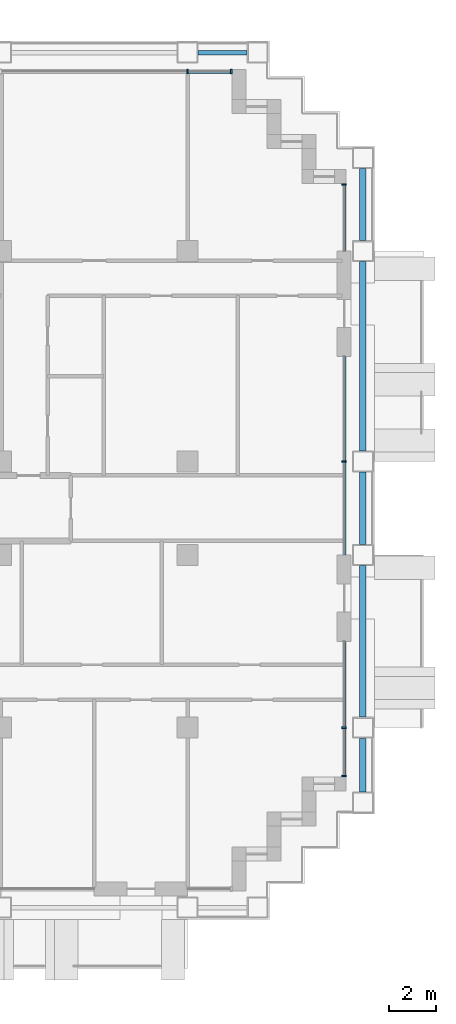
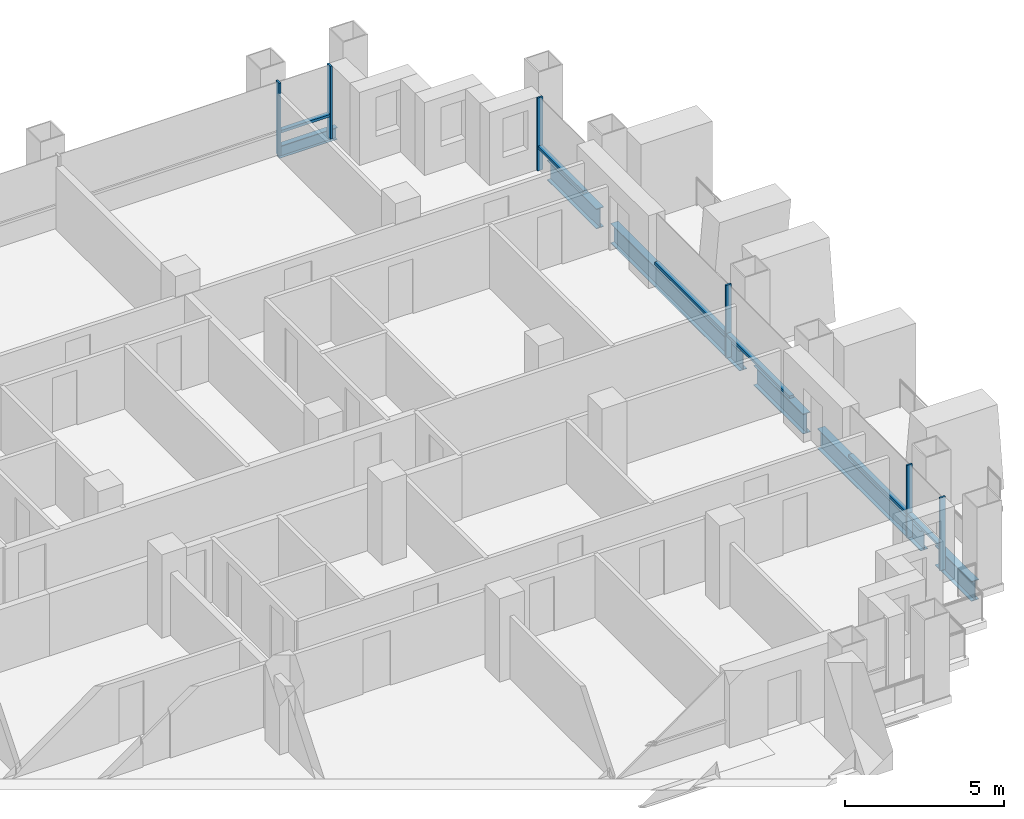
# One storey, part 6 of 18: 12 members, 6 beams, 4 elements without a shape of their own.
"""IFC4 building model written with IfcOpenShell, lengths in metres."""

from ifc_helpers import new_model, si_unit, direction, frame, origin, origin_2d, place, context, subcontext, project, spatial, rectangle, i_section, extrude, material, material_profile, profile_set, type_object, element, aggregate, save


model = new_model("IFC4")

# Units and contexts
model_context = context("Model", 3, precision=1e-05, world=origin(), true_north=direction((0.0, 1.0)))
body_context = subcontext(model_context, "Body", "Model", "MODEL_VIEW")
ifc_project = project(units=[si_unit("LENGTHUNIT", "METRE"), si_unit("AREAUNIT", "SQUARE_METRE"), si_unit("VOLUMEUNIT", "CUBIC_METRE"), si_unit("PLANEANGLEUNIT", "RADIAN"), si_unit("MASSUNIT", "GRAM", prefix="KILO")], contexts=[model_context])

# Site, building, storey
site_placement = place(None, origin())
site = spatial("IfcSite", under=ifc_project, at=site_placement, CompositionType="ELEMENT")
building_placement = place(site_placement, origin())
building = spatial("IfcBuilding", under=site, at=building_placement, Name="Vidyagriha Tower", CompositionType="ELEMENT")
storey_placement = place(building_placement, frame((0.0, 0.0, 103.10009765625)))
storey = spatial("IfcBuildingStorey", under=building, at=storey_placement, Name="L27", CompositionType="ELEMENT", Elevation=103.10009765625)

# Beams
ifc_material_1 = material(Name="Steel ASTM A992 Grade 50", Category="steel")
ifc_material_profile_1 = material_profile(ifc_material_1, i_section(OverallWidth=0.2666015625, OverallDepth=0.76953125, WebThickness=0.015625, FlangeThickness=0.025390625, at=origin_2d()), Name="W30X132")
ifc_profile_set_1 = profile_set([ifc_material_profile_1], Name="Steel ASTM A992 Grade 50")
beam_type_1 = type_object("IfcBeamType", Name="Cantilever edge beam W30X132", PredefinedType="SPANDREL", material=ifc_profile_set_1)
beam_1_placement = place(storey_placement, frame((41.5, -12.14990234375, -0.664794921875), z_axis=(0.0, 1.0, 0.0), x_axis=(-1.0, 0.0, 0.0)))
element("IfcBeam", 1, at=beam_1_placement, inside=storey, type_object=beam_type_1, Name="st-beam-L27-E15", PredefinedType="SPANDREL", context=body_context, shape_type="SweptSolid", body=[
    extrude(i_section(OverallWidth=0.2666015625, OverallDepth=0.76953125, WebThickness=0.015625, FlangeThickness=0.025390625, at=origin_2d()), origin(), (0.0, 0.0, 1.0), 2.2998046875),
])
beam_2_placement = place(storey_placement, frame((41.5, -8.949951171875, -0.664794921875), z_axis=(0.0, 1.0, 0.0), x_axis=(-1.0, 0.0, 0.0)))
element("IfcBeam", 2, at=beam_2_placement, inside=storey, type_object=beam_type_1, Name="st-beam-L27-E16", PredefinedType="SPANDREL", context=body_context, shape_type="SweptSolid", body=[
    extrude(i_section(OverallWidth=0.2666015625, OverallDepth=0.76953125, WebThickness=0.015625, FlangeThickness=0.025390625, at=origin_2d()), origin(), (0.0, 0.0, 1.0), 6.5),
])
beam_3_placement = place(storey_placement, frame((41.5, -1.550048828125, -0.664794921875), z_axis=(0.0, 1.0, 0.0), x_axis=(-1.0, 0.0, 0.0)))
element("IfcBeam", 3, at=beam_3_placement, inside=storey, type_object=beam_type_1, Name="st-beam-L27-E17", PredefinedType="SPANDREL", context=body_context, shape_type="SweptSolid", body=[
    extrude(i_section(OverallWidth=0.2666015625, OverallDepth=0.76953125, WebThickness=0.015625, FlangeThickness=0.025390625, at=origin_2d()), origin(), (0.0, 0.0, 1.0), 3.10009765625),
])
beam_4_placement = place(storey_placement, frame((41.5, 2.449951171875, -0.664794921875), z_axis=(0.0, 1.0, 0.0), x_axis=(-1.0, 0.0, 0.0)))
element("IfcBeam", 4, at=beam_4_placement, inside=storey, type_object=beam_type_1, Name="st-beam-L27-E18", PredefinedType="SPANDREL", context=body_context, shape_type="SweptSolid", body=[
    extrude(i_section(OverallWidth=0.2666015625, OverallDepth=0.76953125, WebThickness=0.015625, FlangeThickness=0.025390625, at=origin_2d()), origin(), (0.0, 0.0, 1.0), 8.10009765625),
])
beam_5_placement = place(storey_placement, frame((41.5, 11.449951171875, -0.664794921875), z_axis=(0.0, 1.0, 0.0), x_axis=(-1.0, 0.0, 0.0)))
element("IfcBeam", 5, at=beam_5_placement, inside=storey, type_object=beam_type_1, Name="st-beam-L27-E19", PredefinedType="SPANDREL", context=body_context, shape_type="SweptSolid", body=[
    extrude(i_section(OverallWidth=0.2666015625, OverallDepth=0.76953125, WebThickness=0.015625, FlangeThickness=0.025390625, at=origin_2d()), origin(), (0.0, 0.0, 1.0), 3.10009765625),
])
ifc_material_2 = material(Name="Steel ASTM A992 Grade 50", Category="steel")
ifc_material_profile_2 = material_profile(ifc_material_2, i_section(OverallWidth=0.19189453125, OverallDepth=0.46240234375, WebThickness=0.010498046875, FlangeThickness=0.017578125, at=origin_2d()), Name="W18X60")
ifc_profile_set_2 = profile_set([ifc_material_profile_2], Name="Steel ASTM A992 Grade 50")
beam_type_2 = type_object("IfcBeamType", Name="Edge beam W18X60", PredefinedType="SPANDREL", material=ifc_profile_set_2)
beam_6_placement = place(storey_placement, frame((34.449951171875, 19.5, -0.51123046875), z_axis=(1.0, 0.0, 0.0), x_axis=(0.0, 1.0, 0.0)))
element("IfcBeam", 6, at=beam_6_placement, inside=storey, type_object=beam_type_2, Name="st-beam-L27-NE23", PredefinedType="SPANDREL", context=body_context, shape_type="SweptSolid", body=[
    extrude(i_section(OverallWidth=0.19189453125, OverallDepth=0.46240234375, WebThickness=0.010498046875, FlangeThickness=0.017578125, at=origin_2d()), origin(), (0.0, 0.0, 1.0), 2.10009765625),
])

# Curtain wall, members
ifc_material_3 = material(Name="Aluminium and glass curtain wall", Category="aluminium")
curtain_wall_type = type_object("IfcCurtainWallType", Name="Dwelling skin unitised curtain wall", PredefinedType="USERDEFINED", material=ifc_material_3)
curtain_wall_1_placement = place(storey_placement, origin())
curtain_wall_1 = element("IfcCurtainWall", 7, at=curtain_wall_1_placement, inside=storey, type_object=curtain_wall_type, Name="CW1 dwelling skin", ObjectType="UNITISED", PredefinedType="USERDEFINED")
ifc_material_4 = material(Name="Aluminium black anodised", Category="aluminium")
ifc_material_profile_3 = material_profile(ifc_material_4, rectangle(XDim=0.199951171875, YDim=0.070068359375, at=origin_2d()), Name="Mullion 70x200 black aluminium")
ifc_profile_set_3 = profile_set([ifc_material_profile_3], Name="Aluminium black anodised")
member_type_1 = type_object("IfcMemberType", Name="Mullion 70x200 black aluminium", PredefinedType="MULLION", material=ifc_profile_set_3)
member_1_placement = place(storey_placement, frame((35.864990234375, 18.699951171875, 0.0), z_axis=(0.0, 0.0, 1.0), x_axis=(0.0, -1.0, 0.0)))
member_1 = element("IfcMember", 8, at=member_1_placement, type_object=member_type_1, Name="CW1 mullion 1", PredefinedType="MULLION", context=body_context, shape_type="SweptSolid", body=[
    extrude(rectangle(XDim=0.199951171875, YDim=0.070068359375, at=origin_2d()), origin(), (0.0, 0.0, 1.0), 2.7998046875),
])
member_2_placement = place(storey_placement, frame((34.0, 18.699951171875, 0.0), z_axis=(0.0, 0.0, 1.0), x_axis=(0.0, -1.0, 0.0)))
member_2 = element("IfcMember", 9, at=member_2_placement, type_object=member_type_1, Name="CW1 mullion 2", PredefinedType="MULLION", context=body_context, shape_type="SweptSolid", body=[
    extrude(rectangle(XDim=0.199951171875, YDim=0.070068359375, at=origin_2d()), origin(), (0.0, 0.0, 1.0), 2.7998046875),
])

curtain_wall_2_placement = place(storey_placement, origin())
curtain_wall_2 = element("IfcCurtainWall", 10, at=curtain_wall_2_placement, inside=storey, type_object=curtain_wall_type, Name="CW1 dwelling skin", ObjectType="UNITISED", PredefinedType="USERDEFINED")
member_3_placement = place(storey_placement, frame((40.699951171875, -11.465087890625, 0.0), z_axis=(0.0, 0.0, 1.0), x_axis=(-1.0, 0.0, 0.0)))
member_3 = element("IfcMember", 11, at=member_3_placement, type_object=member_type_1, Name="CW1 mullion 1", PredefinedType="MULLION", context=body_context, shape_type="SweptSolid", body=[
    extrude(rectangle(XDim=0.199951171875, YDim=0.070068359375, at=origin_2d()), origin(), (0.0, 0.0, 1.0), 2.7998046875),
])
member_4_placement = place(storey_placement, frame((40.699951171875, -9.39990234375, 0.0), z_axis=(0.0, 0.0, 1.0), x_axis=(-1.0, 0.0, 0.0)))
member_4 = element("IfcMember", 12, at=member_4_placement, type_object=member_type_1, Name="CW1 mullion 2", PredefinedType="MULLION", context=body_context, shape_type="SweptSolid", body=[
    extrude(rectangle(XDim=0.199951171875, YDim=0.070068359375, at=origin_2d()), origin(), (0.0, 0.0, 1.0), 2.7998046875),
])

# Curtain wall, member
curtain_wall_3_placement = place(storey_placement, origin())
curtain_wall_3 = element("IfcCurtainWall", 13, at=curtain_wall_3_placement, inside=storey, type_object=curtain_wall_type, Name="CW1 dwelling skin", ObjectType="UNITISED", PredefinedType="USERDEFINED")
member_5_placement = place(storey_placement, frame((40.699951171875, 2.0, 0.0), z_axis=(0.0, 0.0, 1.0), x_axis=(-1.0, 0.0, 0.0)))
member_5 = element("IfcMember", 14, at=member_5_placement, type_object=member_type_1, Name="CW1 mullion 2", PredefinedType="MULLION", context=body_context, shape_type="SweptSolid", body=[
    extrude(rectangle(XDim=0.199951171875, YDim=0.070068359375, at=origin_2d()), origin(), (0.0, 0.0, 1.0), 2.7998046875),
])

curtain_wall_4_placement = place(storey_placement, origin())
curtain_wall_4 = element("IfcCurtainWall", 15, at=curtain_wall_4_placement, inside=storey, type_object=curtain_wall_type, Name="CW1 dwelling skin", ObjectType="UNITISED", PredefinedType="USERDEFINED")
member_6_placement = place(storey_placement, frame((40.699951171875, 13.864990234375, 0.0), z_axis=(0.0, 0.0, 1.0), x_axis=(-1.0, 0.0, 0.0)))
member_6 = element("IfcMember", 16, at=member_6_placement, type_object=member_type_1, Name="CW1 mullion 2", PredefinedType="MULLION", context=body_context, shape_type="SweptSolid", body=[
    extrude(rectangle(XDim=0.199951171875, YDim=0.070068359375, at=origin_2d()), origin(), (0.0, 0.0, 1.0), 2.7998046875),
])

# Member
ifc_material_5 = material(Name="Aluminium black anodised", Category="aluminium")
ifc_material_profile_4 = material_profile(ifc_material_5, rectangle(XDim=0.159912109375, YDim=0.10009765625, at=origin_2d()), Name="Transom 100x160 black aluminium")
ifc_profile_set_4 = profile_set([ifc_material_profile_4], Name="Aluminium black anodised")
member_type_2 = type_object("IfcMemberType", Name="Transom 100x160 black aluminium", PredefinedType="USERDEFINED", material=ifc_profile_set_4)
member_7_placement = place(storey_placement, frame((35.830078125, 18.699951171875, 0.89990234375), z_axis=(-1.0, 0.0, 0.0), x_axis=(0.0, -1.0, 0.0)))
member_7 = element("IfcMember", 17, at=member_7_placement, type_object=member_type_2, Name="CW1 transom 1.1", ObjectType="TRANSOM", PredefinedType="USERDEFINED", context=body_context, shape_type="SweptSolid", body=[
    extrude(rectangle(XDim=0.159912109375, YDim=0.10009765625, at=origin_2d()), origin(), (0.0, 0.0, 1.0), 1.795166015625),
])

aggregate(curtain_wall_1, [member_1, member_2, member_7])

member_8_placement = place(storey_placement, frame((40.699951171875, -11.429931640625, 0.89990234375), z_axis=(0.0, 1.0, 0.0), x_axis=(-1.0, 0.0, 0.0)))
member_8 = element("IfcMember", 18, at=member_8_placement, type_object=member_type_2, Name="CW1 transom 1.1", ObjectType="TRANSOM", PredefinedType="USERDEFINED", context=body_context, shape_type="SweptSolid", body=[
    extrude(rectangle(XDim=0.159912109375, YDim=0.10009765625, at=origin_2d()), origin(), (0.0, 0.0, 1.0), 1.994873046875),
])

member_9_placement = place(storey_placement, frame((40.699951171875, -9.364990234375, 0.89990234375), z_axis=(0.0, 1.0, 0.0), x_axis=(-1.0, 0.0, 0.0)))
member_9 = element("IfcMember", 19, at=member_9_placement, type_object=member_type_2, Name="CW1 transom 2.1", ObjectType="TRANSOM", PredefinedType="USERDEFINED", context=body_context, shape_type="SweptSolid", body=[
    extrude(rectangle(XDim=0.159912109375, YDim=0.10009765625, at=origin_2d()), origin(), (0.0, 0.0, 1.0), 3.6650390625),
])

aggregate(curtain_wall_2, [member_3, member_4, member_8, member_9])

member_10_placement = place(storey_placement, frame((40.699951171875, -2.0, 0.89990234375), z_axis=(0.0, 1.0, 0.0), x_axis=(-1.0, 0.0, 0.0)))
member_10 = element("IfcMember", 20, at=member_10_placement, type_object=member_type_2, Name="CW1 transom 1.1", ObjectType="TRANSOM", PredefinedType="USERDEFINED", context=body_context, shape_type="SweptSolid", body=[
    extrude(rectangle(XDim=0.159912109375, YDim=0.10009765625, at=origin_2d()), origin(), (0.0, 0.0, 1.0), 3.965087890625),
])

member_11_placement = place(storey_placement, frame((40.699951171875, 2.034912109375, 0.89990234375), z_axis=(0.0, 1.0, 0.0), x_axis=(-1.0, 0.0, 0.0)))
member_11 = element("IfcMember", 21, at=member_11_placement, type_object=member_type_2, Name="CW1 transom 2.1", ObjectType="TRANSOM", PredefinedType="USERDEFINED", context=body_context, shape_type="SweptSolid", body=[
    extrude(rectangle(XDim=0.159912109375, YDim=0.10009765625, at=origin_2d()), origin(), (0.0, 0.0, 1.0), 4.465087890625),
])

aggregate(curtain_wall_3, [member_5, member_10, member_11])

member_12_placement = place(storey_placement, frame((40.699951171875, 11.0, 0.89990234375), z_axis=(0.0, 1.0, 0.0), x_axis=(-1.0, 0.0, 0.0)))
member_12 = element("IfcMember", 22, at=member_12_placement, type_object=member_type_2, Name="CW1 transom 1.1", ObjectType="TRANSOM", PredefinedType="USERDEFINED", context=body_context, shape_type="SweptSolid", body=[
    extrude(rectangle(XDim=0.159912109375, YDim=0.10009765625, at=origin_2d()), origin(), (0.0, 0.0, 1.0), 2.830078125),
])

aggregate(curtain_wall_4, [member_6, member_12])

save(model, "model.ifc")
